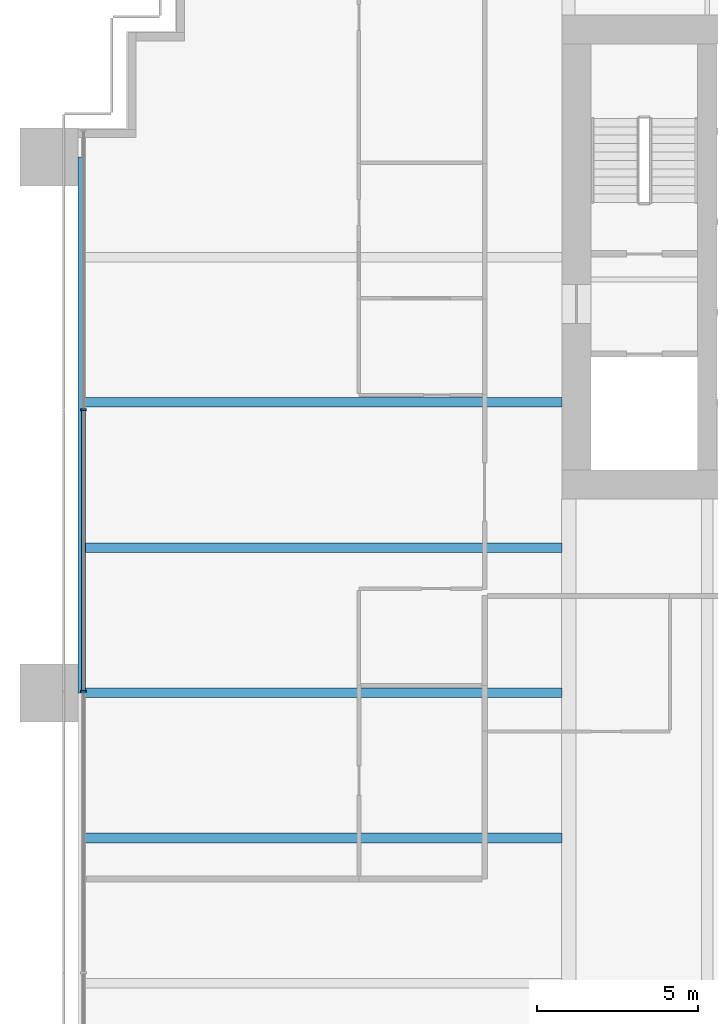
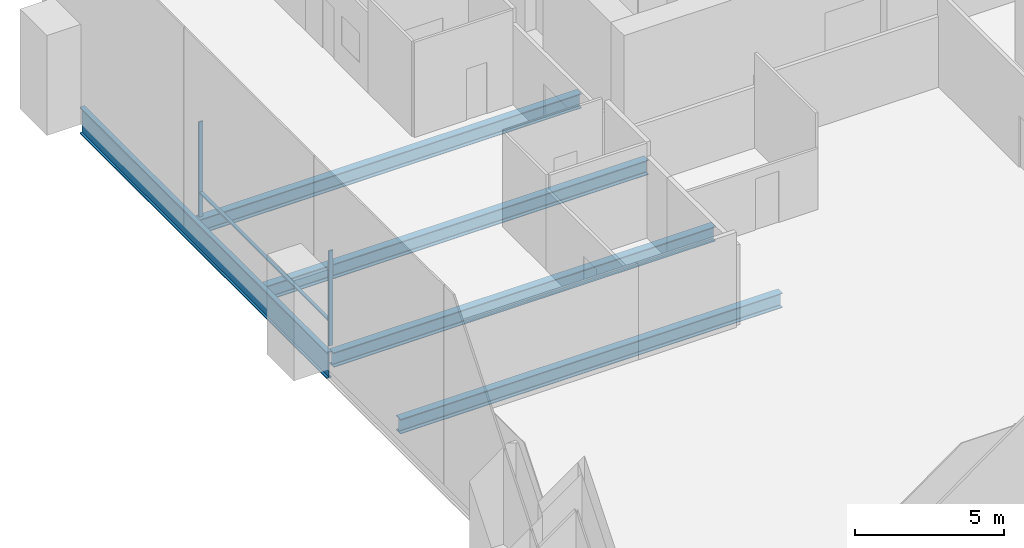
# One storey, part 4 of 17: 5 beams, 3 members, 1 element without a shape of its own.
"""IFC4 building model written with IfcOpenShell, lengths in metres."""

from ifc_helpers import new_model, si_unit, direction, frame, origin, origin_2d, place, context, subcontext, project, spatial, rectangle, i_section, extrude, material, material_profile, profile_set, type_object, element, aggregate, save


model = new_model("IFC4")

# Units and contexts
model_context = context("Model", 3, precision=1e-05, world=origin(), true_north=direction((0.0, 1.0)))
body_context = subcontext(model_context, "Body", "Model", "MODEL_VIEW")
ifc_project = project(units=[si_unit("LENGTHUNIT", "METRE"), si_unit("AREAUNIT", "SQUARE_METRE"), si_unit("VOLUMEUNIT", "CUBIC_METRE"), si_unit("PLANEANGLEUNIT", "RADIAN"), si_unit("MASSUNIT", "GRAM", prefix="KILO")], contexts=[model_context])

# Site, building, storey
site_placement = place(None, origin())
site = spatial("IfcSite", under=ifc_project, at=site_placement, CompositionType="ELEMENT")
building_placement = place(site_placement, origin())
building = spatial("IfcBuilding", under=site, at=building_placement, Name="Rattan Terrace Tower", CompositionType="ELEMENT")
storey_placement = place(building_placement, frame((0.0, 0.0, 44.699951171875)))
storey = spatial("IfcBuildingStorey", under=building, at=storey_placement, Name="L09", CompositionType="ELEMENT", Elevation=44.699951171875)

# Curtain wall, members
ifc_material_1 = material(Name="Aluminium and glass", Category="aluminium")
curtain_wall_type = type_object("IfcCurtainWallType", Name="Facade Unitised Curtain Wall", PredefinedType="NOTDEFINED", material=ifc_material_1)
curtain_wall_placement = place(storey_placement, origin())
curtain_wall = element("IfcCurtainWall", 1, at=curtain_wall_placement, inside=storey, type_object=curtain_wall_type, Name="Curtain wall L09-3", PredefinedType="NOTDEFINED")
ifc_material_2 = material(Name="Aluminium", Category="aluminium")
ifc_material_profile_1 = material_profile(ifc_material_2, rectangle(XDim=0.06005859375, YDim=0.159912109375, at=origin_2d()), Name="Aluminium 60x160")
ifc_profile_set_1 = profile_set([ifc_material_profile_1], Name="Aluminium")
member_type_1 = type_object("IfcMemberType", Name="Facade CW Mullion 60x160", PredefinedType="MULLION", material=ifc_profile_set_1)
member_1_placement = place(storey_placement, frame((-32.830078125, -4.72705078125, 0.0), z_axis=(0.0, 0.0, 1.0), x_axis=(0.0, -1.0, 0.0)))
member_1 = element("IfcMember", 2, at=member_1_placement, type_object=member_type_1, Name="Mullion cwl-L09-003.2", PredefinedType="MULLION", context=body_context, shape_type="SweptSolid", body=[
    extrude(rectangle(XDim=0.06005859375, YDim=0.159912109375, at=origin_2d()), origin(), (0.0, 0.0, 1.0), 3.900146484375),
])
member_2_placement = place(storey_placement, frame((-32.830078125, -13.4541015625, 0.0), z_axis=(0.0, 0.0, 1.0), x_axis=(0.0, -1.0, 0.0)))
member_2 = element("IfcMember", 3, at=member_2_placement, type_object=member_type_1, Name="Mullion cwl-L09-003.3", PredefinedType="MULLION", context=body_context, shape_type="SweptSolid", body=[
    extrude(rectangle(XDim=0.06005859375, YDim=0.159912109375, at=origin_2d()), origin(), (0.0, 0.0, 1.0), 3.900146484375),
])
ifc_material_3 = material(Name="Aluminium", Category="aluminium")
ifc_material_profile_2 = material_profile(ifc_material_3, rectangle(XDim=0.1201171875, YDim=0.06005859375, at=origin_2d()), Name="Aluminium 120x60")
ifc_profile_set_2 = profile_set([ifc_material_profile_2], Name="Aluminium")
member_type_2 = type_object("IfcMemberType", Name="Facade CW Transom 120x60", PredefinedType="USERDEFINED", material=ifc_profile_set_2)
member_3_placement = place(storey_placement, frame((-32.830078125, -4.757080078125, 1.0), z_axis=(0.0, -1.0, 0.0), x_axis=(1.0, 0.0, 0.0)))
member_3 = element("IfcMember", 4, at=member_3_placement, type_object=member_type_2, Name="Transom cwl-L09-003.2", ObjectType="TRANSOM", PredefinedType="USERDEFINED", context=body_context, shape_type="SweptSolid", body=[
    extrude(rectangle(XDim=0.1201171875, YDim=0.06005859375, at=origin_2d()), origin(), (0.0, 0.0, 1.0), 8.6669921875),
])
aggregate(curtain_wall, [member_1, member_2, member_3])

# Beams
ifc_material_4 = material(Name="Steel S460", Category="steel")
ifc_material_profile_3 = material_profile(ifc_material_4, i_section(OverallWidth=0.179931640625, OverallDepth=1.10009765625, WebThickness=0.01611328125, FlangeThickness=0.050048828125, at=origin_2d()), Name="PG 1100x180-16-50")
ifc_profile_set_3 = profile_set([ifc_material_profile_3], Name="Steel S460")
beam_type_1 = type_object("IfcBeamType", Name="Frame edge girder PG 1100x180-16-50", PredefinedType="SPANDREL", material=ifc_profile_set_3)
beam_placement = place(storey_placement, frame((-32.909912109375, 3.10009765625, -0.75), z_axis=(0.0, -1.0, 0.0), x_axis=(1.0, 0.0, 0.0)))
element("IfcBeam", 5, at=beam_placement, inside=storey, type_object=beam_type_1, Name="gdr-L09-008", PredefinedType="SPANDREL", context=body_context, shape_type="SweptSolid", body=[
    extrude(i_section(OverallWidth=0.179931640625, OverallDepth=1.10009765625, WebThickness=0.01611328125, FlangeThickness=0.050048828125, at=origin_2d()), origin(), (0.0, 0.0, 1.0), 16.60009765625),
])
ifc_material_5 = material(Name="Steel S355", Category="steel")
ifc_material_profile_4 = material_profile(ifc_material_5, i_section(OverallWidth=0.300048828125, OverallDepth=0.60009765625, WebThickness=0.015380859375, FlangeThickness=0.030029296875, FilletRadius=0.027099609375, at=origin_2d()), Name="HE 600 B")
ifc_profile_set_4 = profile_set([ifc_material_profile_4], Name="Steel S355")
beam_type_2 = type_object("IfcBeamType", Name="Frame floor beam HE 600 B", PredefinedType="JOIST", material=ifc_profile_set_4)
for number, where, z_axis, x_axis, name in (
    (6, (-32.820068359375, -18.0, -0.5), (1.0, 0.0, 0.0), (0.0, 1.0, 0.0), "bm-L09-014"),
    (7, (-32.820068359375, -13.5, -0.5), (1.0, 0.0, 0.0), (0.0, 1.0, 0.0), "bm-L09-016"),
    (8, (-32.820068359375, -9.0, -0.5), (1.0, 0.0, 0.0), (0.0, 1.0, 0.0), "bm-L09-018"),
    (9, (-32.820068359375, -4.5, -0.5), (1.0, 0.0, 0.0), (0.0, 1.0, 0.0), "bm-L09-020"),
):
    element("IfcBeam", number, at=place(storey_placement, frame(where, z_axis=z_axis, x_axis=x_axis)), inside=storey, type_object=beam_type_2, Name=name, PredefinedType="JOIST", context=body_context, shape_type="SweptSolid", body=[
        extrude(i_section(OverallWidth=0.300048828125, OverallDepth=0.60009765625, WebThickness=0.015380859375, FlangeThickness=0.030029296875, FilletRadius=0.027099609375, at=origin_2d()), origin(), (0.0, 0.0, 1.0), 14.820068359375),
    ])

save(model, "model.ifc")
